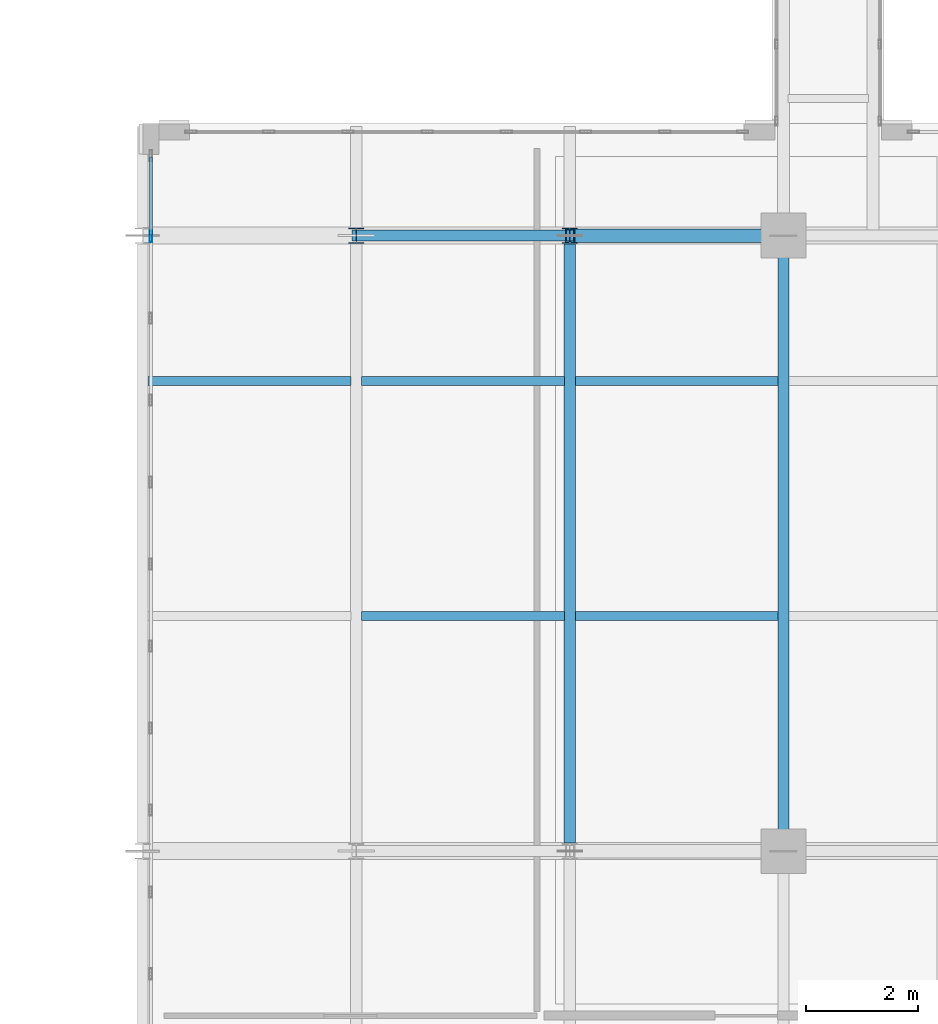
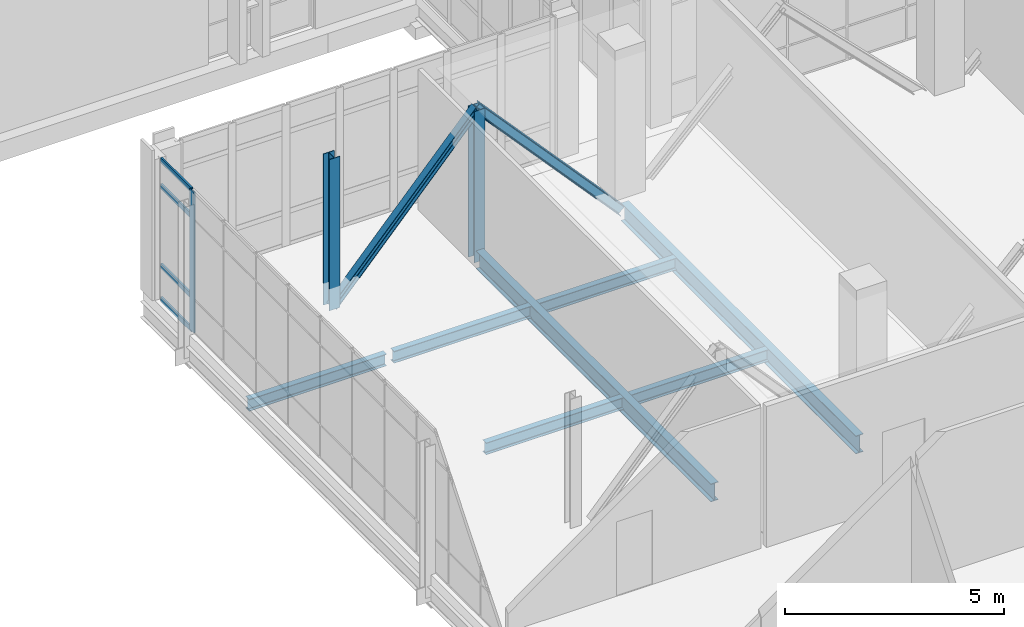
# One storey, part 7 of 165: 9 members, 7 beams, 1 element without a shape of its own.
"""IFC4 building model written with IfcOpenShell, lengths in metres."""

from ifc_helpers import new_model, si_unit, direction, frame, origin, origin_2d, place, context, subcontext, project, spatial, hollow_rectangle, i_section, extrude, material, layer, layer_set, material_profile, profile_set, type_object, element, aggregate, save


model = new_model("IFC4")

# Units and contexts
model_context = context("Model", 3, precision=1e-05, world=origin(), true_north=direction((0.0, 1.0)))
body_context = subcontext(model_context, "Body", "Model", "MODEL_VIEW")
ifc_project = project(units=[si_unit("LENGTHUNIT", "METRE"), si_unit("AREAUNIT", "SQUARE_METRE"), si_unit("VOLUMEUNIT", "CUBIC_METRE"), si_unit("PLANEANGLEUNIT", "RADIAN"), si_unit("MASSUNIT", "GRAM", prefix="KILO")], contexts=[model_context])

# Site, building, storey
site_placement = place(None, origin())
site = spatial("IfcSite", under=ifc_project, at=site_placement, CompositionType="ELEMENT")
building_placement = place(site_placement, origin())
building = spatial("IfcBuilding", under=site, at=building_placement, Name="Qalavern Law Courts", CompositionType="ELEMENT")
storey_placement = place(building_placement, frame((0.0, 0.0, 14.39990234375)))
storey = spatial("IfcBuildingStorey", under=building, at=storey_placement, Name="L03", CompositionType="ELEMENT", Elevation=14.39990234375)

# Curtain wall, members
ifc_material_1 = material(Name="Anodised aluminium and insulated glazing", Category="aluminium")
ifc_layer = layer(ifc_material_1, 0.199951171875)
ifc_layer_set = layer_set([ifc_layer], Name="Anodised aluminium and insulated glazing")
curtain_wall_type = type_object("IfcCurtainWallType", Name="ENV-CW-FOYER", PredefinedType="USERDEFINED", material=ifc_layer_set)
curtain_wall_placement = place(storey_placement, origin())
curtain_wall = element("IfcCurtainWall", 1, at=curtain_wall_placement, inside=storey, type_object=curtain_wall_type, Name="V1 unitised curtain wall L03 west 1", ObjectType="UNITISED CURTAIN WALL", PredefinedType="USERDEFINED")
ifc_material_2 = material(Name="Anodised aluminium", Category="aluminium")
ifc_material_profile_1 = material_profile(ifc_material_2, hollow_rectangle(XDim=0.048095703125, YDim=0.199951171875, WallThickness=0.00439453125, at=origin_2d()), Name="ALU MULLION 48x200")
ifc_profile_set_1 = profile_set([ifc_material_profile_1], Name="Anodised aluminium")
member_type_1 = type_object("IfcMemberType", Name="ENV-CWM-48x200", PredefinedType="MULLION", material=ifc_profile_set_1)
member_1_placement = place(storey_placement, frame((5.49755859375, 31.9853515625, 0.0), z_axis=(0.0, 0.0, 1.0), x_axis=(1.0, 0.0, 0.0)))
member_1 = element("IfcMember", 2, at=member_1_placement, type_object=member_type_1, Name="CW-01 mullion 2", PredefinedType="MULLION", context=body_context, shape_type="SweptSolid", body=[
    extrude(hollow_rectangle(XDim=0.048095703125, YDim=0.199951171875, WallThickness=0.00439453125, at=origin_2d()), origin(), (0.0, 0.0, 1.0), 3.920166015625),
])
ifc_material_profile_2 = material_profile(ifc_material_2, hollow_rectangle(XDim=0.048095703125, YDim=0.139892578125, WallThickness=0.00390625, at=origin_2d()), Name="ALU TRANSOM 48x140")
ifc_profile_set_2 = profile_set([ifc_material_profile_2], Name="Anodised aluminium")
member_type_2 = type_object("IfcMemberType", Name="ENV-CWT-48x140", PredefinedType="USERDEFINED", material=ifc_profile_set_2)
member_2_placement = place(storey_placement, frame((5.49755859375, 33.402099609375, 0.024169921875), z_axis=(0.0, -1.0, 0.0), x_axis=(1.0, 0.0, 0.0)))
member_2 = element("IfcMember", 3, at=member_2_placement, type_object=member_type_2, Name="CW-01 transom 1.1", ObjectType="TRANSOM", PredefinedType="USERDEFINED", context=body_context, shape_type="SweptSolid", body=[
    extrude(hollow_rectangle(XDim=0.048095703125, YDim=0.139892578125, WallThickness=0.00390625, at=origin_2d()), origin(), (0.0, 0.0, 1.0), 1.392822265625),
])
member_3_placement = place(storey_placement, frame((5.49755859375, 33.402099609375, 0.9501953125), z_axis=(0.0, -1.0, 0.0), x_axis=(1.0, 0.0, 0.0)))
member_3 = element("IfcMember", 4, at=member_3_placement, type_object=member_type_2, Name="CW-01 transom 1.2", ObjectType="TRANSOM", PredefinedType="USERDEFINED", context=body_context, shape_type="SweptSolid", body=[
    extrude(hollow_rectangle(XDim=0.048095703125, YDim=0.139892578125, WallThickness=0.00390625, at=origin_2d()), origin(), (0.0, 0.0, 1.0), 1.392822265625),
])
member_4_placement = place(storey_placement, frame((5.49755859375, 33.402099609375, 3.170166015625), z_axis=(0.0, -1.0, 0.0), x_axis=(1.0, 0.0, 0.0)))
member_4 = element("IfcMember", 5, at=member_4_placement, type_object=member_type_2, Name="CW-01 transom 1.3", ObjectType="TRANSOM", PredefinedType="USERDEFINED", context=body_context, shape_type="SweptSolid", body=[
    extrude(hollow_rectangle(XDim=0.048095703125, YDim=0.139892578125, WallThickness=0.00390625, at=origin_2d()), origin(), (0.0, 0.0, 1.0), 1.392822265625),
])
member_5_placement = place(storey_placement, frame((5.49755859375, 33.402099609375, 3.89599609375), z_axis=(0.0, -1.0, 0.0), x_axis=(1.0, 0.0, 0.0)))
member_5 = element("IfcMember", 6, at=member_5_placement, type_object=member_type_2, Name="CW-01 transom 1.4", ObjectType="TRANSOM", PredefinedType="USERDEFINED", context=body_context, shape_type="SweptSolid", body=[
    extrude(hollow_rectangle(XDim=0.048095703125, YDim=0.139892578125, WallThickness=0.00390625, at=origin_2d()), origin(), (0.0, 0.0, 1.0), 1.392822265625),
])
aggregate(curtain_wall, [member_1, member_2, member_3, member_4, member_5])

# Beams
ifc_material_3 = material(Name="Steel S355", Category="steel")
ifc_material_profile_3 = material_profile(ifc_material_3, i_section(OverallWidth=0.199951171875, OverallDepth=0.5, WebThickness=0.01025390625, FlangeThickness=0.01611328125, FilletRadius=0.02099609375, at=origin_2d()), Name="IPE 500")
ifc_profile_set_3 = profile_set([ifc_material_profile_3], Name="Steel S355")
beam_type_1 = type_object("IfcBeamType", Name="STR-BM-IPE500", PredefinedType="BEAM", material=ifc_profile_set_3)
for number, where, z_axis, x_axis, name in (
    (7, (16.800048828125, 21.14794921875, -0.534912109375), (0.0, 1.0, 0.0), (-1.0, 0.0, 0.0), "Foyer transverse beam L03-5.3"),
    (8, (12.9833984375, 21.14794921875, -0.534912109375), (0.0, 1.0, 0.0), (-1.0, 0.0, 0.0), "Foyer transverse beam L03-6.3"),
):
    element("IfcBeam", number, at=place(storey_placement, frame(where, z_axis=z_axis, x_axis=x_axis)), inside=storey, type_object=beam_type_1, Name=name, PredefinedType="BEAM", context=body_context, shape_type="SweptSolid", body=[
        extrude(i_section(OverallWidth=0.199951171875, OverallDepth=0.5, WebThickness=0.01025390625, FlangeThickness=0.01611328125, FilletRadius=0.02099609375, at=origin_2d()), origin(), (0.0, 0.0, 1.0), 10.7041015625),
    ])

# Members
ifc_material_profile_4 = material_profile(ifc_material_3, i_section(OverallWidth=0.199951171875, OverallDepth=0.199951171875, WebThickness=0.009033203125, FlangeThickness=0.014892578125, FilletRadius=0.01806640625, at=origin_2d()), Name="HEB 200")
ifc_profile_set_4 = profile_set([ifc_material_profile_4], Name="Steel S355")
member_type_3 = type_object("IfcMemberType", Name="STR-BR-HEB200", PredefinedType="BRACE", material=ifc_profile_set_4)
member_6_placement = place(storey_placement, frame((12.9833984375, 32.0, 3.59521484375), z_axis=(-0.672079845695, 0.0, -0.740478683698), x_axis=(0.0, -1.0, 0.0)))
element("IfcMember", 9, at=member_6_placement, inside=storey, type_object=member_type_3, Name="Cantilever truss T3 diagonal L03-6", PredefinedType="BRACE", context=body_context, shape_type="SweptSolid", body=[
    extrude(i_section(OverallWidth=0.199951171875, OverallDepth=0.199951171875, WebThickness=0.009033203125, FlangeThickness=0.014892578125, FilletRadius=0.01806640625, at=origin_2d()), origin(), (0.0, 0.0, 1.0), 5.678955078125),
])
ifc_material_profile_5 = material_profile(ifc_material_3, i_section(OverallWidth=0.239990234375, OverallDepth=0.239990234375, WebThickness=0.010009765625, FlangeThickness=0.01708984375, FilletRadius=0.02099609375, at=origin_2d()), Name="HEB 240")
ifc_profile_set_5 = profile_set([ifc_material_profile_5], Name="Steel S355")
member_type_4 = type_object("IfcMemberType", Name="STR-BR-HEB240", PredefinedType="BRACE", material=ifc_profile_set_5)
member_7_placement = place(storey_placement, frame((16.800048828125, 32.0, -0.60986328125), z_axis=(-0.672079845695, 0.0, 0.740478683698), x_axis=(0.0, -1.0, 0.0)))
element("IfcMember", 10, at=member_7_placement, inside=storey, type_object=member_type_4, Name="Cantilever truss T3 diagonal L03-5", PredefinedType="BRACE", context=body_context, shape_type="SweptSolid", body=[
    extrude(i_section(OverallWidth=0.239990234375, OverallDepth=0.239990234375, WebThickness=0.010009765625, FlangeThickness=0.01708984375, FilletRadius=0.02099609375, at=origin_2d()), origin(), (0.0, 0.0, 1.0), 5.678955078125),
])

# Beams
ifc_material_profile_6 = material_profile(ifc_material_3, i_section(OverallWidth=0.159912109375, OverallDepth=0.330078125, WebThickness=0.007568359375, FlangeThickness=0.011474609375, FilletRadius=0.01806640625, at=origin_2d()), Name="IPE 330")
ifc_profile_set_6 = profile_set([ifc_material_profile_6], Name="Steel S355")
beam_type_2 = type_object("IfcBeamType", Name="STR-JST-IPE330", PredefinedType="JOIST", material=ifc_profile_set_6)
for number, where, z_axis, x_axis, name in (
    (11, (13.081298828125, 25.199951171875, -0.449951171875), (1.0, 0.0, 0.0), (0.0, 1.0, 0.0), "Foyer floor joist L03-5.3"),
    (12, (13.081298828125, 29.39990234375, -0.449951171875), (1.0, 0.0, 0.0), (0.0, 1.0, 0.0), "Foyer floor joist L03-5.4"),
    (13, (9.2646484375, 25.199951171875, -0.449951171875), (1.0, 0.0, 0.0), (0.0, 1.0, 0.0), "Foyer floor joist L03-6.3"),
    (14, (9.2646484375, 29.39990234375, -0.449951171875), (1.0, 0.0, 0.0), (0.0, 1.0, 0.0), "Foyer floor joist L03-6.4"),
    (15, (5.447998046875, 29.39990234375, -0.449951171875), (1.0, 0.0, 0.0), (0.0, 1.0, 0.0), "Foyer floor joist L03-7.4"),
):
    element("IfcBeam", number, at=place(storey_placement, frame(where, z_axis=z_axis, x_axis=x_axis)), inside=storey, type_object=beam_type_2, Name=name, PredefinedType="JOIST", context=body_context, shape_type="SweptSolid", body=[
        extrude(i_section(OverallWidth=0.159912109375, OverallDepth=0.330078125, WebThickness=0.007568359375, FlangeThickness=0.011474609375, FilletRadius=0.01806640625, at=origin_2d()), origin(), (0.0, 0.0, 1.0), 3.62060546875),
    ])

# Members
ifc_material_profile_7 = material_profile(ifc_material_3, i_section(OverallWidth=0.280029296875, OverallDepth=0.280029296875, WebThickness=0.010498046875, FlangeThickness=0.01806640625, FilletRadius=0.02392578125, at=origin_2d()), Name="HEB 280")
ifc_profile_set_7 = profile_set([ifc_material_profile_7], Name="Steel S355")
member_type_5 = type_object("IfcMemberType", Name="STR-POST-HEB280", PredefinedType="POST", material=ifc_profile_set_7)
for number, where, z_axis, x_axis, name in (
    (16, (12.9833984375, 32.0, -0.60986328125), (0.0, 0.0, 1.0), (1.0, 0.0, 0.0), "Cantilever truss T3 post L03-1"),
    (17, (9.166748046875, 32.0, -0.60986328125), (0.0, 0.0, 1.0), (1.0, 0.0, 0.0), "Cantilever truss T3 post L03-2"),
):
    element("IfcMember", number, at=place(storey_placement, frame(where, z_axis=z_axis, x_axis=x_axis)), inside=storey, type_object=member_type_5, Name=name, PredefinedType="POST", context=body_context, shape_type="SweptSolid", body=[
        extrude(i_section(OverallWidth=0.280029296875, OverallDepth=0.280029296875, WebThickness=0.010498046875, FlangeThickness=0.01806640625, FilletRadius=0.02392578125, at=origin_2d()), origin(), (0.0, 0.0, 1.0), 4.205078125),
    ])

save(model, "model.ifc")
